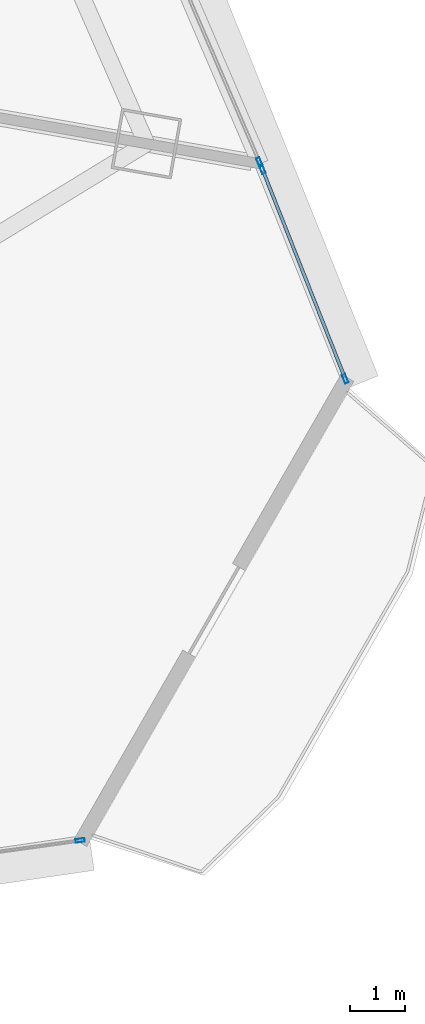
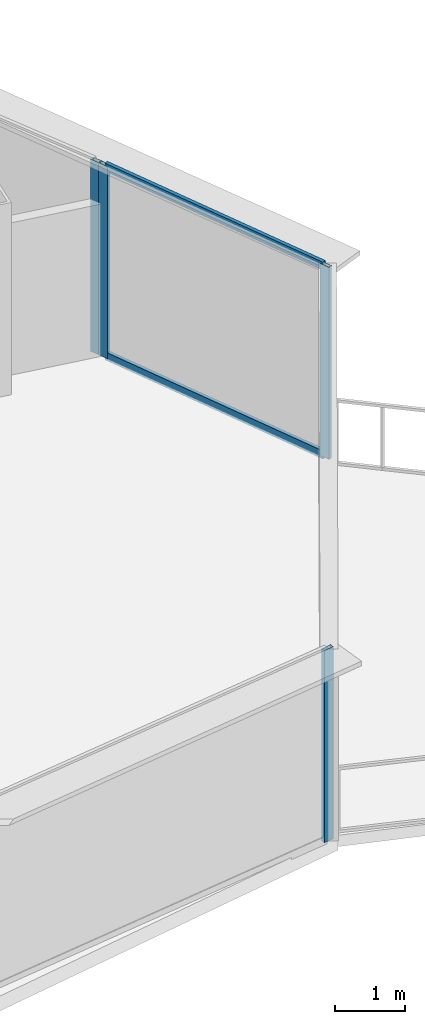
# One storey, part 21 of 38: 6 members, 3 elements without a shape of their own.
"""IFC4 building model written with IfcOpenShell, lengths in metres."""

from ifc_helpers import new_model, si_unit, direction, frame, origin, origin_2d, place, context, subcontext, project, spatial, hollow_rectangle, extrude, source, transform, mapped, material, layer, layer_set, material_profile, profile_set, type_object, element, aggregate, save


model = new_model("IFC4")

# Units and contexts
model_context = context("Model", 3, precision=1e-05, world=origin(), true_north=direction((0.0, 1.0)))
body_context = subcontext(model_context, "Body", "Model", "MODEL_VIEW")
ifc_project = project(units=[si_unit("LENGTHUNIT", "METRE"), si_unit("AREAUNIT", "SQUARE_METRE"), si_unit("VOLUMEUNIT", "CUBIC_METRE"), si_unit("PLANEANGLEUNIT", "RADIAN"), si_unit("MASSUNIT", "GRAM", prefix="KILO"), si_unit("THERMODYNAMICTEMPERATUREUNIT", "KELVIN"), si_unit("POWERUNIT", "WATT")], contexts=[model_context])

# Site, building, storey
site_placement = place(None, origin())
site = spatial("IfcSite", under=ifc_project, at=site_placement, CompositionType="ELEMENT")
building_placement = place(site_placement, origin())
building = spatial("IfcBuilding", under=site, at=building_placement, Name="Yunzhuo Pagoda Commons", CompositionType="ELEMENT")
storey_placement = place(building_placement, frame((0.0, 0.0, 37.659912109375)))
storey = spatial("IfcBuildingStorey", under=building, at=storey_placement, Name="L09", CompositionType="ELEMENT", Elevation=37.659912109375)

# Curtain wall, members
ifc_material = material(Name="Anodized aluminium 6063-T6", Category="aluminium")
ifc_layer = layer(ifc_material, 0.1650390625)
ifc_layer_set = layer_set([ifc_layer], Name="Anodized aluminium 6063-T6")
curtain_wall_type = type_object("IfcCurtainWallType", Name="CW-LOW Low-Zone Ribbon Curtain Wall", PredefinedType="NOTDEFINED", material=ifc_layer_set)
curtain_wall_1_placement = place(storey_placement, origin())
curtain_wall_1 = element("IfcCurtainWall", 1, at=curtain_wall_1_placement, inside=storey, type_object=curtain_wall_type, Name="L09 curtain wall CW-L09-F2B1", PredefinedType="NOTDEFINED")
ifc_material_profile_1 = material_profile(ifc_material, hollow_rectangle(XDim=0.06005859375, YDim=0.139892578125, WallThickness=0.00341796875, at=origin_2d()), Name="Anodized aluminium 6063-T6")
ifc_profile_set_1 = profile_set([ifc_material_profile_1], Name="Anodized aluminium 6063-T6")
member_type_1 = type_object("IfcMemberType", Name="CW-LOW-T Transom RHS 140x60x3.5", PredefinedType="USERDEFINED", material=ifc_profile_set_1)
shared_shape_1 = source(origin(), body_context, "Body", "SweptSolid", [
    extrude(hollow_rectangle(XDim=0.06005859375, YDim=0.139892578125, WallThickness=0.00341796875, at=origin_2d()), origin(), (0.0, 0.0, 1.0), 3.9970703125),
])
member_1_placement = place(storey_placement, frame((91.619384765625, 22.429931640625, 0.030029296875), z_axis=(-0.36764906147, 0.929964605563, 0.0), x_axis=(-0.929964605563, -0.36764906147, 0.0)))
member_1 = element("IfcMember", 2, at=member_1_placement, type_object=member_type_1, Name="CW transom 1.1", ObjectType="TRANSOM", PredefinedType="USERDEFINED", context=body_context, shape_type="MappedRepresentation", body=[
    mapped(shared_shape_1, transform((0.0, 0.0, 0.0), scale=1.0)),
])
member_2_placement = place(storey_placement, frame((91.619384765625, 22.429931640625, 3.340087890625), z_axis=(-0.36764906147, 0.929964605563, 0.0), x_axis=(-0.929964605563, -0.36764906147, 0.0)))
member_2 = element("IfcMember", 3, at=member_2_placement, type_object=member_type_1, Name="CW transom 1.2", ObjectType="TRANSOM", PredefinedType="USERDEFINED", context=body_context, shape_type="MappedRepresentation", body=[
    mapped(shared_shape_1, transform((0.0, 0.0, 0.0), scale=1.0)),
])

# Curtain wall, member
curtain_wall_2_placement = place(storey_placement, origin())
curtain_wall_2 = element("IfcCurtainWall", 4, at=curtain_wall_2_placement, inside=storey, type_object=curtain_wall_type, Name="L09 curtain wall CW-L09-F1B5", PredefinedType="NOTDEFINED")
ifc_material_profile_2 = material_profile(ifc_material, hollow_rectangle(XDim=0.06494140625, YDim=0.1650390625, WallThickness=0.00390625, at=origin_2d()), Name="Anodized aluminium 6063-T6")
ifc_profile_set_2 = profile_set([ifc_material_profile_2], Name="Anodized aluminium 6063-T6")
member_type_2 = type_object("IfcMemberType", Name="CW-LOW-M Mullion RHS 165x65x4", PredefinedType="MULLION", material=ifc_profile_set_2)
shared_shape_2 = source(origin(), body_context, "Body", "SweptSolid", [
    extrude(hollow_rectangle(XDim=0.06494140625, YDim=0.1650390625, WallThickness=0.00390625, at=origin_2d()), origin(), (0.0, 0.0, 1.0), 3.3701171875),
])
member_3_placement = place(storey_placement, frame((86.85302734375, 14.077880859375, 0.0), z_axis=(0.0, 0.0, 1.0), x_axis=(-0.138293641491, 0.99039127052, 0.0)))
member_3 = element("IfcMember", 5, at=member_3_placement, type_object=member_type_2, Name="CW mullion 2", PredefinedType="MULLION", context=body_context, shape_type="MappedRepresentation", body=[
    mapped(shared_shape_2, transform((0.0, 0.0, 0.0), scale=1.0)),
])
aggregate(curtain_wall_2, [member_3])

curtain_wall_3_placement = place(storey_placement, origin())
curtain_wall_3 = element("IfcCurtainWall", 6, at=curtain_wall_3_placement, inside=storey, type_object=curtain_wall_type, Name="L09 curtain wall CW-L09-F2B2", PredefinedType="NOTDEFINED")
member_4_placement = place(storey_placement, frame((90.08544921875, 26.306640625, 0.0), z_axis=(0.0, 0.0, 1.0), x_axis=(-0.918745212535, -0.394850901535, 0.0)))
member_4 = element("IfcMember", 7, at=member_4_placement, type_object=member_type_2, Name="CW mullion 1", PredefinedType="MULLION", context=body_context, shape_type="MappedRepresentation", body=[
    mapped(shared_shape_2, transform((0.0, 0.0, 0.0), scale=1.0)),
])
aggregate(curtain_wall_3, [member_4])

# Member
member_5_placement = place(storey_placement, frame((91.63134765625, 22.399658203125, 0.0), z_axis=(0.0, 0.0, 1.0), x_axis=(-0.929958215398, -0.367665224919, 0.0)))
member_5 = element("IfcMember", 8, at=member_5_placement, type_object=member_type_2, Name="CW mullion 1", PredefinedType="MULLION", context=body_context, shape_type="MappedRepresentation", body=[
    mapped(shared_shape_2, transform((0.0, 0.0, 0.0), scale=1.0)),
])

member_6_placement = place(storey_placement, frame((90.13818359375, 26.177001953125, 0.0), z_axis=(0.0, 0.0, 1.0), x_axis=(-0.929958215398, -0.367665224919, 0.0)))
member_6 = element("IfcMember", 9, at=member_6_placement, type_object=member_type_2, Name="CW mullion 2", PredefinedType="MULLION", context=body_context, shape_type="MappedRepresentation", body=[
    mapped(shared_shape_2, transform((0.0, 0.0, 0.0), scale=1.0)),
])

aggregate(curtain_wall_1, [member_5, member_6, member_1, member_2])

save(model, "model.ifc")
